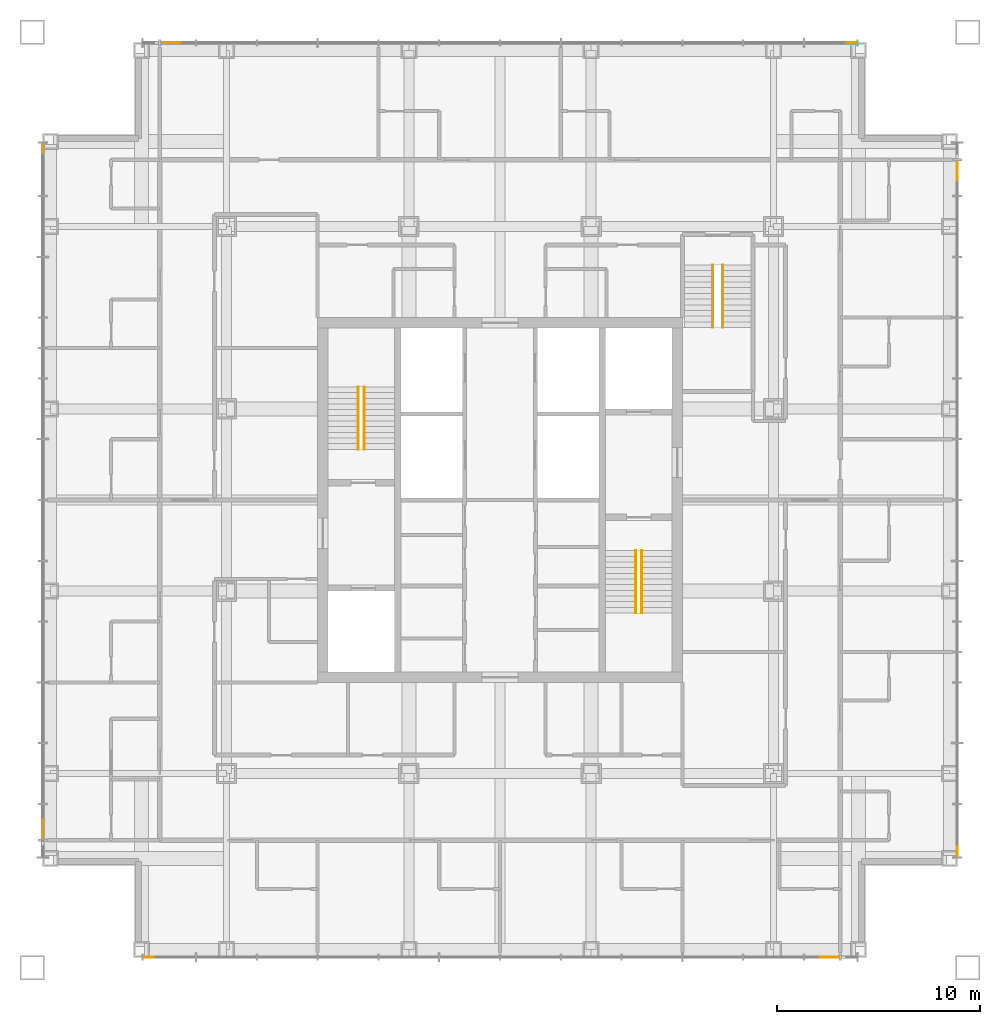
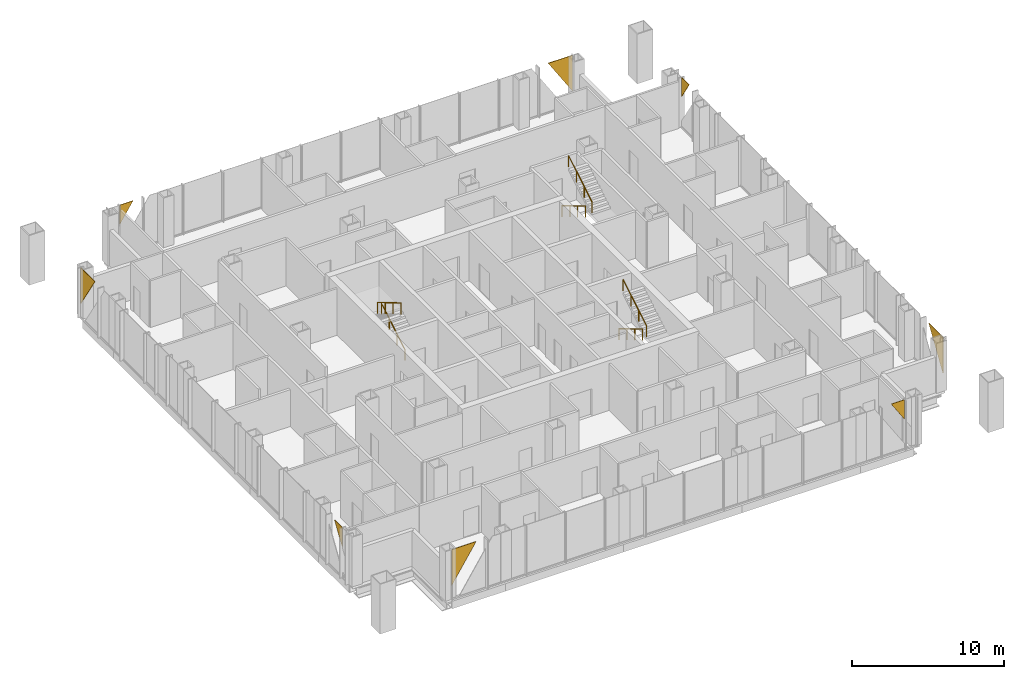
# One storey, part 11 of 15: 8 coverings, 6 railings.
"""IFC4 building model written with IfcOpenShell, lengths in metres."""

from ifc_helpers import new_model, si_unit, direction, frame, origin, origin_2d, place, context, subcontext, project, spatial, polyline, circle, outline, extrude, material, layer, layer_set, type_object, element, save


model = new_model("IFC4")

# Units and contexts
model_context = context("Model", 3, precision=1e-05, world=origin(), true_north=direction((0.0, 1.0)))
body_context = subcontext(model_context, "Body", "Model", "MODEL_VIEW")
ifc_project = project(units=[si_unit("LENGTHUNIT", "METRE"), si_unit("AREAUNIT", "SQUARE_METRE"), si_unit("VOLUMEUNIT", "CUBIC_METRE"), si_unit("PLANEANGLEUNIT", "RADIAN"), si_unit("MASSUNIT", "GRAM", prefix="KILO")], contexts=[model_context])

# Site, building, storey
site_placement = place(None, origin())
site = spatial("IfcSite", under=ifc_project, at=site_placement, CompositionType="ELEMENT")
building_placement = place(site_placement, origin())
building = spatial("IfcBuilding", under=site, at=building_placement, Name="Malebo Sky Hospital", CompositionType="ELEMENT")
storey_placement = place(building_placement, frame((0.0, 0.0, 217.0)))
storey = spatial("IfcBuildingStorey", under=building, at=storey_placement, Name="L52", CompositionType="ELEMENT", Elevation=217.0)

# Coverings
ifc_material_1 = material(Name="Anodised aluminium, natural silver insulated infill panel", Category="aluminium")
ifc_layer = layer(ifc_material_1, 0.0400390625)
ifc_layer_set = layer_set([ifc_layer], Name="BRACE INFILL PANEL 40")
covering_type = type_object("IfcCoveringType", Name="BRACE INFILL PANEL 40", PredefinedType="CLADDING", material=ifc_layer_set)
covering_1_placement = place(storey_placement, frame((43.731689453125, 84.574951171875, 2.449951171875), z_axis=(0.0, 0.0, 1.0), x_axis=(1.0, 0.0, 0.0)))
element("IfcCovering", 1, at=covering_1_placement, inside=storey, type_object=covering_type, Name="Brace infill panel 2.1", PredefinedType="CLADDING", context=body_context, shape_type="SweptSolid", body=[
    extrude(outline(polyline([(-0.494140625, 0.0), (0.494140625, 1.5400390625), (-0.494140625, 1.5400390625), (-0.494140625, 0.0)])), frame((0.0, 0.02001953125, 0.0), z_axis=(0.0, -1.0, 0.0), x_axis=(1.0, 0.0, 0.0)), (0.0, 0.0, 1.0), 0.0400390625),
])
covering_2_placement = place(storey_placement, frame((76.69970703125, 84.574951171875, 1.105712890625), z_axis=(0.0, 0.0, 1.0), x_axis=(1.0, 0.0, 0.0)))
element("IfcCovering", 2, at=covering_2_placement, inside=storey, type_object=covering_type, Name="Brace infill panel 13.1", PredefinedType="CLADDING", context=body_context, shape_type="SweptSolid", body=[
    extrude(outline(polyline([(0.92529296875, 0.0), (0.92529296875, 2.88427734375), (-0.92529296875, 2.88427734375), (0.92529296875, 0.0)])), frame((0.0, 0.02001953125, 0.0), z_axis=(0.0, -1.0, 0.0), x_axis=(1.0, 0.0, 0.0)), (0.0, 0.0, 1.0), 0.0400390625),
])
covering_3_placement = place(storey_placement, frame((37.425048828125, 45.731689453125, 2.449951171875), z_axis=(0.0, 0.0, 1.0), x_axis=(0.0, 1.0, 0.0)))
element("IfcCovering", 3, at=covering_3_placement, inside=storey, type_object=covering_type, Name="Brace infill panel 2.1", PredefinedType="CLADDING", context=body_context, shape_type="SweptSolid", body=[
    extrude(outline(polyline([(-0.494140625, 0.0), (0.494140625, 1.5400390625), (-0.494140625, 1.5400390625), (-0.494140625, 0.0)])), frame((0.0, 0.02001953125, 0.0), z_axis=(0.0, -1.0, 0.0), x_axis=(1.0, 0.0, 0.0)), (0.0, 0.0, 1.0), 0.0400390625),
])
covering_4_placement = place(storey_placement, frame((37.425048828125, 78.69970703125, 1.105712890625), z_axis=(0.0, 0.0, 1.0), x_axis=(0.0, 1.0, 0.0)))
element("IfcCovering", 4, at=covering_4_placement, inside=storey, type_object=covering_type, Name="Brace infill panel 14.1", PredefinedType="CLADDING", context=body_context, shape_type="SweptSolid", body=[
    extrude(outline(polyline([(0.92529296875, 0.0), (0.92529296875, 2.88427734375), (-0.92529296875, 2.88427734375), (0.92529296875, 0.0)])), frame((0.0, 0.02001953125, 0.0), z_axis=(0.0, -1.0, 0.0), x_axis=(1.0, 0.0, 0.0)), (0.0, 0.0, 1.0), 0.0400390625),
])
covering_5_placement = place(storey_placement, frame((76.268310546875, 39.425048828125, 2.449951171875), z_axis=(0.0, 0.0, 1.0), x_axis=(-1.0, 0.0, 0.0)))
element("IfcCovering", 5, at=covering_5_placement, inside=storey, type_object=covering_type, Name="Brace infill panel 2.1", PredefinedType="CLADDING", context=body_context, shape_type="SweptSolid", body=[
    extrude(outline(polyline([(-0.494140625, 0.0), (0.494140625, 1.5400390625), (-0.494140625, 1.5400390625), (-0.494140625, 0.0)])), frame((0.0, 0.02001953125, 0.0), z_axis=(0.0, -1.0, 0.0), x_axis=(1.0, 0.0, 0.0)), (0.0, 0.0, 1.0), 0.0400390625),
])
covering_6_placement = place(storey_placement, frame((43.30029296875, 39.425048828125, 1.105712890625), z_axis=(0.0, 0.0, 1.0), x_axis=(-1.0, 0.0, 0.0)))
element("IfcCovering", 6, at=covering_6_placement, inside=storey, type_object=covering_type, Name="Brace infill panel 13.1", PredefinedType="CLADDING", context=body_context, shape_type="SweptSolid", body=[
    extrude(outline(polyline([(0.92529296875, 0.0), (0.92529296875, 2.88427734375), (-0.92529296875, 2.88427734375), (0.92529296875, 0.0)])), frame((0.0, 0.02001953125, 0.0), z_axis=(0.0, -1.0, 0.0), x_axis=(1.0, 0.0, 0.0)), (0.0, 0.0, 1.0), 0.0400390625),
])
covering_7_placement = place(storey_placement, frame((82.574951171875, 78.268310546875, 2.449951171875), z_axis=(0.0, 0.0, 1.0), x_axis=(0.0, -1.0, 0.0)))
element("IfcCovering", 7, at=covering_7_placement, inside=storey, type_object=covering_type, Name="Brace infill panel 2.1", PredefinedType="CLADDING", context=body_context, shape_type="SweptSolid", body=[
    extrude(outline(polyline([(-0.494140625, 0.0), (0.494140625, 1.5400390625), (-0.494140625, 1.5400390625), (-0.494140625, 0.0)])), frame((0.0, 0.02001953125, 0.0), z_axis=(0.0, -1.0, 0.0), x_axis=(1.0, 0.0, 0.0)), (0.0, 0.0, 1.0), 0.0400390625),
])
covering_8_placement = place(storey_placement, frame((82.574951171875, 45.30029296875, 1.105712890625), z_axis=(0.0, 0.0, 1.0), x_axis=(0.0, -1.0, 0.0)))
element("IfcCovering", 8, at=covering_8_placement, inside=storey, type_object=covering_type, Name="Brace infill panel 14.1", PredefinedType="CLADDING", context=body_context, shape_type="SweptSolid", body=[
    extrude(outline(polyline([(0.92529296875, 0.0), (0.92529296875, 2.88427734375), (-0.92529296875, 2.88427734375), (0.92529296875, 0.0)])), frame((0.0, 0.02001953125, 0.0), z_axis=(0.0, -1.0, 0.0), x_axis=(1.0, 0.0, 0.0)), (0.0, 0.0, 1.0), 0.0400390625),
])

# Railings
ifc_material_2 = material(Name="Stainless steel tube", Category="steel")
railing_type = type_object("IfcRailingType", Name="STAIR HANDRAIL 900", PredefinedType="HANDRAIL", material=ifc_material_2)
railing_1_placement = place(storey_placement, frame((53.300048828125, 64.5, 0.166748046875)))
element("IfcRailing", 9, at=railing_1_placement, inside=storey, type_object=railing_type, Name="Stair handrail S1 flight 1", PredefinedType="HANDRAIL", context=body_context, shape_type="SweptSolid", body=[
    extrude(circle(Radius=0.02392578125, at=origin_2d()), frame((0.0, 0.0, 0.8759765625), z_axis=(0.0, 0.859308565015, 0.511457515432), x_axis=(-1.0, 0.0, 0.0)), (0.0, 0.0, 1.0), 3.58447265625),
    extrude(circle(Radius=0.02099609375, at=origin_2d()), origin(), (0.0, 0.0, 1.0), 0.851806640625),
    extrude(circle(Radius=0.02099609375, at=origin_2d()), frame((0.0, 1.026611328125, 0.611083984375)), (0.0, 0.0, 1.0), 0.851806640625),
    extrude(circle(Radius=0.02099609375, at=origin_2d()), frame((0.0, 2.053466796875, 1.22216796875)), (0.0, 0.0, 1.0), 0.851806640625),
    extrude(circle(Radius=0.02099609375, at=origin_2d()), frame((0.0, 3.080078125, 1.833251953125)), (0.0, 0.0, 1.0), 0.851806640625),
])
for number, where, name in (
    (10, (53.0, 67.580078125, 2.166748046875), "Stair handrail S1 flight 2"),
    (11, (66.699951171875, 59.5, 0.166748046875), "Stair handrail S2 flight 1"),
):
    element("IfcRailing", number, at=place(storey_placement, frame(where)), inside=storey, type_object=railing_type, Name=name, PredefinedType="HANDRAIL", context=body_context, shape_type="SweptSolid", body=[
        extrude(circle(Radius=0.02392578125, at=origin_2d()), frame((0.0, 0.0, 0.8759765625), z_axis=(0.0, -0.859308565015, 0.511457515432), x_axis=(1.0, 0.0, 0.0)), (0.0, 0.0, 1.0), 3.58447265625),
        extrude(circle(Radius=0.02099609375, at=origin_2d()), origin(), (0.0, 0.0, 1.0), 0.851806640625),
        extrude(circle(Radius=0.02099609375, at=origin_2d()), frame((0.0, -1.026611328125, 0.611083984375)), (0.0, 0.0, 1.0), 0.851806640625),
        extrude(circle(Radius=0.02099609375, at=origin_2d()), frame((0.0, -2.053466796875, 1.22216796875)), (0.0, 0.0, 1.0), 0.851806640625),
        extrude(circle(Radius=0.02099609375, at=origin_2d()), frame((0.0, -3.080078125, 1.833251953125)), (0.0, 0.0, 1.0), 0.851806640625),
    ])
railing_2_placement = place(storey_placement, frame((67.0, 56.419921875, 2.166748046875)))
element("IfcRailing", 12, at=railing_2_placement, inside=storey, type_object=railing_type, Name="Stair handrail S2 flight 2", PredefinedType="HANDRAIL", context=body_context, shape_type="SweptSolid", body=[
    extrude(circle(Radius=0.02392578125, at=origin_2d()), frame((0.0, 0.0, 0.8759765625), z_axis=(0.0, 0.859308565015, 0.511457515432), x_axis=(-1.0, 0.0, 0.0)), (0.0, 0.0, 1.0), 3.58447265625),
    extrude(circle(Radius=0.02099609375, at=origin_2d()), origin(), (0.0, 0.0, 1.0), 0.851806640625),
    extrude(circle(Radius=0.02099609375, at=origin_2d()), frame((0.0, 1.026611328125, 0.611083984375)), (0.0, 0.0, 1.0), 0.851806640625),
    extrude(circle(Radius=0.02099609375, at=origin_2d()), frame((0.0, 2.053466796875, 1.22216796875)), (0.0, 0.0, 1.0), 0.851806640625),
    extrude(circle(Radius=0.02099609375, at=origin_2d()), frame((0.0, 3.080078125, 1.833251953125)), (0.0, 0.0, 1.0), 0.851806640625),
])
railing_3_placement = place(storey_placement, frame((70.5, 73.60009765625, 0.166748046875)))
element("IfcRailing", 13, at=railing_3_placement, inside=storey, type_object=railing_type, Name="Stair handrail S3 flight 1", PredefinedType="HANDRAIL", context=body_context, shape_type="SweptSolid", body=[
    extrude(circle(Radius=0.02392578125, at=origin_2d()), frame((0.0, 0.0, 0.8759765625), z_axis=(0.0, -0.859308565015, 0.511457515432), x_axis=(1.0, 0.0, 0.0)), (0.0, 0.0, 1.0), 3.58447265625),
    extrude(circle(Radius=0.02099609375, at=origin_2d()), origin(), (0.0, 0.0, 1.0), 0.851806640625),
    extrude(circle(Radius=0.02099609375, at=origin_2d()), frame((0.0, -1.026611328125, 0.611083984375)), (0.0, 0.0, 1.0), 0.851806640625),
    extrude(circle(Radius=0.02099609375, at=origin_2d()), frame((0.0, -2.053466796875, 1.22216796875)), (0.0, 0.0, 1.0), 0.851806640625),
    extrude(circle(Radius=0.02099609375, at=origin_2d()), frame((0.0, -3.080078125, 1.833251953125)), (0.0, 0.0, 1.0), 0.851806640625),
])
railing_4_placement = place(storey_placement, frame((71.0, 70.52001953125, 2.166748046875)))
element("IfcRailing", 14, at=railing_4_placement, inside=storey, type_object=railing_type, Name="Stair handrail S3 flight 2", PredefinedType="HANDRAIL", context=body_context, shape_type="SweptSolid", body=[
    extrude(circle(Radius=0.02392578125, at=origin_2d()), frame((0.0, 0.0, 0.8759765625), z_axis=(0.0, 0.859308565015, 0.511457515432), x_axis=(-1.0, 0.0, 0.0)), (0.0, 0.0, 1.0), 3.58447265625),
    extrude(circle(Radius=0.02099609375, at=origin_2d()), origin(), (0.0, 0.0, 1.0), 0.851806640625),
    extrude(circle(Radius=0.02099609375, at=origin_2d()), frame((0.0, 1.026611328125, 0.611083984375)), (0.0, 0.0, 1.0), 0.851806640625),
    extrude(circle(Radius=0.02099609375, at=origin_2d()), frame((0.0, 2.053466796875, 1.22216796875)), (0.0, 0.0, 1.0), 0.851806640625),
    extrude(circle(Radius=0.02099609375, at=origin_2d()), frame((0.0, 3.080078125, 1.833251953125)), (0.0, 0.0, 1.0), 0.851806640625),
])

save(model, "model.ifc")
